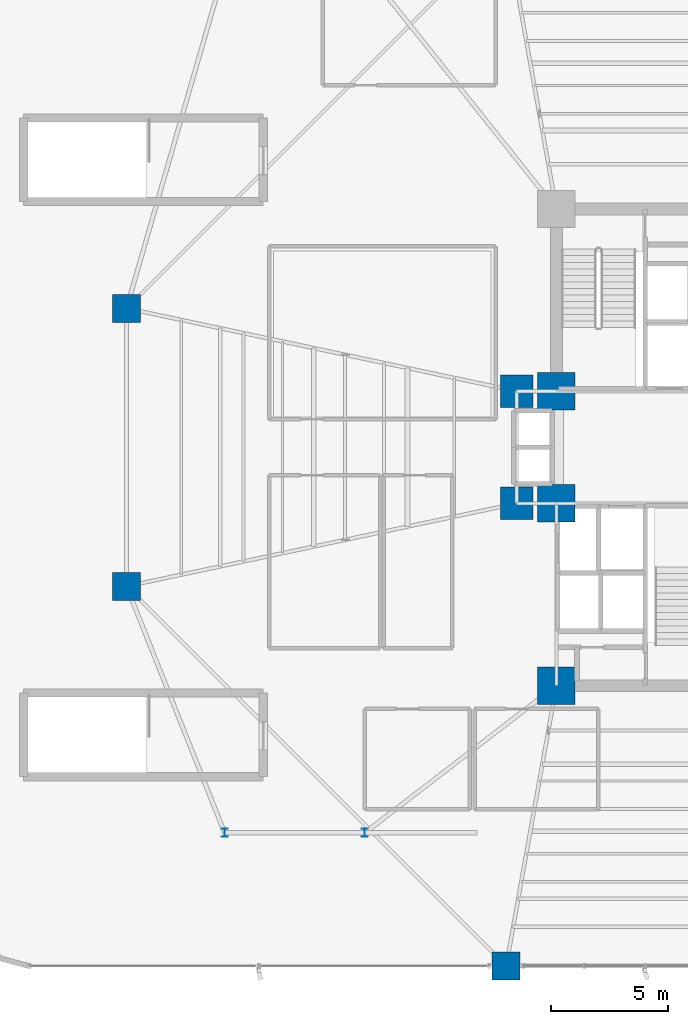
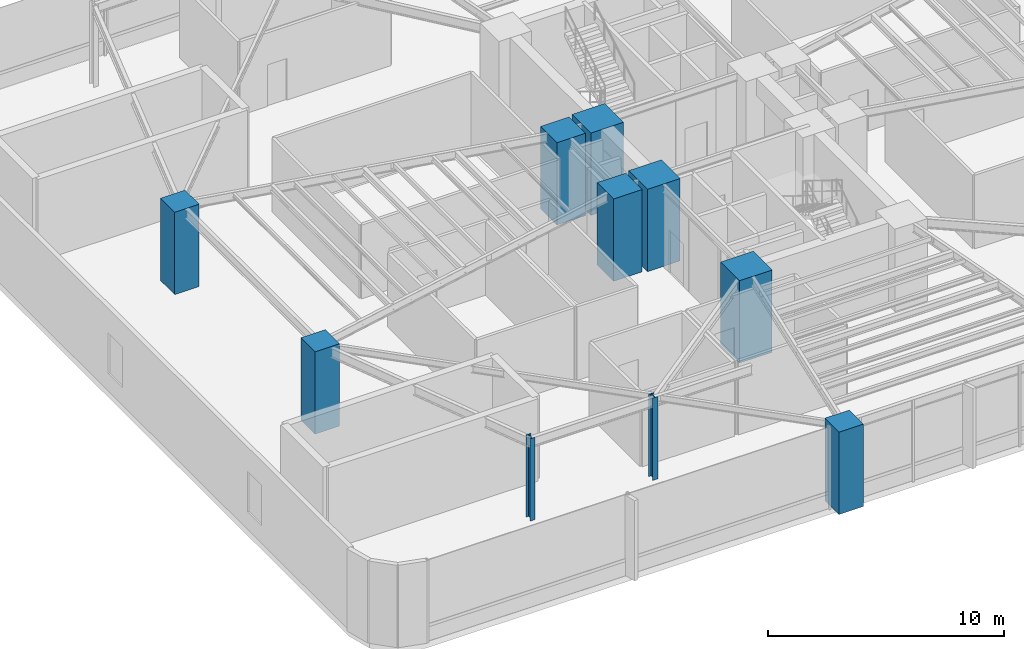
# One storey, part 1 of 26: 10 columns.
"""IFC4 building model written with IfcOpenShell, lengths in metres."""

from ifc_helpers import new_model, si_unit, direction, frame, origin, origin_2d, place, context, subcontext, project, spatial, rectangle, i_section, extrude, source, transform, mapped, material, material_profile, profile_set, type_object, element, save


model = new_model("IFC4")

# Units and contexts
model_context = context("Model", 3, precision=1e-05, world=origin(), true_north=direction((0.0, 1.0)))
body_context = subcontext(model_context, "Body", "Model", "MODEL_VIEW")
ifc_project = project(units=[si_unit("LENGTHUNIT", "METRE"), si_unit("AREAUNIT", "SQUARE_METRE"), si_unit("VOLUMEUNIT", "CUBIC_METRE"), si_unit("PLANEANGLEUNIT", "RADIAN"), si_unit("MASSUNIT", "GRAM", prefix="KILO")], contexts=[model_context])

# Site, building, storey
site_placement = place(None, origin())
site = spatial("IfcSite", under=ifc_project, at=site_placement, CompositionType="ELEMENT")
building_placement = place(site_placement, origin())
building = spatial("IfcBuilding", under=site, at=building_placement, Name="Sahyath Konkavel Grand Hotel", CompositionType="ELEMENT")
storey_placement = place(building_placement, frame((0.0, 0.0, 18.60009765625)))
storey = spatial("IfcBuildingStorey", under=building, at=storey_placement, Name="L04", CompositionType="ELEMENT", Elevation=18.60009765625)

# Columns
ifc_material_1 = material(Name="Concrete C70/85", Category="concrete")
ifc_material_profile_1 = material_profile(ifc_material_1, rectangle(XDim=1.60009765625, YDim=1.60009765625, at=origin_2d()), Name="RC 1600x1600")
ifc_profile_set_1 = profile_set([ifc_material_profile_1], Name="Concrete C70/85")
column_type_1 = type_object("IfcColumnType", Name="COL-RC1600", PredefinedType="COLUMN", material=ifc_profile_set_1)
shared_shape_1 = source(origin(), body_context, "Body", "SweptSolid", [
    extrude(rectangle(XDim=1.60009765625, YDim=1.60009765625, at=origin_2d()), origin(), (0.0, 0.0, 1.0), 4.260009765625),
])
for number, where, z_axis, x_axis, name in (
    (1, (-3.800048828125, 2.39990234375, 0.0), (0.0, 0.0, 1.0), (1.0, 0.0, 0.0), "L04 Core Boundary Column NC-SW"),
    (2, (-3.800048828125, -2.39990234375, 0.0), (0.0, 0.0, 1.0), (1.0, 0.0, 0.0), "L04 Core Boundary Column SC-NW"),
    (3, (-3.800048828125, -10.199951171875, 0.0), (0.0, 0.0, 1.0), (1.0, 0.0, 0.0), "L04 Core Boundary Column SC-SW"),
):
    element("IfcColumn", number, at=place(storey_placement, frame(where, z_axis=z_axis, x_axis=x_axis)), inside=storey, type_object=column_type_1, Name=name, PredefinedType="COLUMN", context=body_context, shape_type="MappedRepresentation", body=[
        mapped(shared_shape_1, transform((0.0, 0.0, 0.0), scale=1.0)),
    ])
ifc_material_profile_2 = material_profile(ifc_material_1, rectangle(XDim=1.39990234375, YDim=1.39990234375, at=origin_2d()), Name="RC 1400x1400")
ifc_profile_set_2 = profile_set([ifc_material_profile_2], Name="Concrete C70/85")
column_type_2 = type_object("IfcColumnType", Name="COL-RC1400", PredefinedType="COLUMN", material=ifc_profile_set_2)
shared_shape_2 = source(origin(), body_context, "Body", "SweptSolid", [
    extrude(rectangle(XDim=1.39990234375, YDim=1.39990234375, at=origin_2d()), origin(), (0.0, 0.0, 1.0), 4.260009765625),
])
for number, where, z_axis, x_axis, name in (
    (4, (-5.5, 2.39990234375, 0.0), (0.0, 0.0, 1.0), (1.0, 0.0, 0.0), "L04 Central Spine Column HB-NW"),
    (5, (-5.5, -2.39990234375, 0.0), (0.0, 0.0, 1.0), (1.0, 0.0, 0.0), "L04 Central Spine Column HB-SW"),
):
    element("IfcColumn", number, at=place(storey_placement, frame(where, z_axis=z_axis, x_axis=x_axis)), inside=storey, type_object=column_type_2, Name=name, PredefinedType="COLUMN", context=body_context, shape_type="MappedRepresentation", body=[
        mapped(shared_shape_2, transform((0.0, 0.0, 0.0), scale=1.0)),
    ])
ifc_material_2 = material(Name="Concrete C50/60", Category="concrete")
ifc_material_profile_3 = material_profile(ifc_material_2, rectangle(XDim=1.199951171875, YDim=1.199951171875, at=origin_2d()), Name="RC 1200x1200")
ifc_profile_set_3 = profile_set([ifc_material_profile_3], Name="Concrete C50/60")
column_type_3 = type_object("IfcColumnType", Name="COL-RC1200", PredefinedType="COLUMN", material=ifc_profile_set_3)
shared_shape_3 = source(origin(), body_context, "Body", "SweptSolid", [
    extrude(rectangle(XDim=1.199951171875, YDim=1.199951171875, at=origin_2d()), origin(), (0.0, 0.0, 1.0), 4.260009765625),
])
for number, where, z_axis, x_axis, name in (
    (6, (-22.199951171875, 5.949951171875, 0.0), (0.0, 0.0, 1.0), (1.0, 0.0, 0.0), "L04 Cruciform Wing Column WC-WA"),
    (7, (-22.199951171875, -5.949951171875, 0.0), (0.0, 0.0, 1.0), (1.0, 0.0, 0.0), "L04 Cruciform Wing Column WC-WB"),
    (8, (-5.949951171875, -22.199951171875, 0.0), (0.0, 0.0, 1.0), (1.0, 0.0, 0.0), "L04 Cruciform Wing Column WC-SA"),
):
    element("IfcColumn", number, at=place(storey_placement, frame(where, z_axis=z_axis, x_axis=x_axis)), inside=storey, type_object=column_type_3, Name=name, PredefinedType="COLUMN", context=body_context, shape_type="MappedRepresentation", body=[
        mapped(shared_shape_3, transform((0.0, 0.0, 0.0), scale=1.0)),
    ])
ifc_material_3 = material(Name="Steel E350", Category="steel")
ifc_material_profile_4 = material_profile(ifc_material_3, i_section(OverallWidth=0.25, OverallDepth=0.35009765625, WebThickness=0.01171875, FlangeThickness=0.01171875, FilletRadius=0.011962890625, at=origin_2d()), Name="ISHB 350")
ifc_profile_set_4 = profile_set([ifc_material_profile_4], Name="Steel E350")
column_type_4 = type_object("IfcColumnType", Name="COL-ISHB350", PredefinedType="COLUMN", material=ifc_profile_set_4)
shared_shape_4 = source(origin(), body_context, "Body", "SweptSolid", [
    extrude(i_section(OverallWidth=0.25, OverallDepth=0.35009765625, WebThickness=0.01171875, FlangeThickness=0.01171875, FilletRadius=0.011962890625, at=origin_2d()), origin(), (0.0, 0.0, 1.0), 4.260009765625),
])
for number, where, z_axis, x_axis, name in (
    (9, (-18.0, -16.5, 0.0), (0.0, 0.0, 1.0), (1.0, 0.0, 0.0), "L04 Sandstone Colonnade Pier CL-S1"),
    (10, (-12.0, -16.5, 0.0), (0.0, 0.0, 1.0), (1.0, 0.0, 0.0), "L04 Sandstone Colonnade Pier CL-S2"),
):
    element("IfcColumn", number, at=place(storey_placement, frame(where, z_axis=z_axis, x_axis=x_axis)), inside=storey, type_object=column_type_4, Name=name, PredefinedType="COLUMN", context=body_context, shape_type="MappedRepresentation", body=[
        mapped(shared_shape_4, transform((0.0, 0.0, 0.0), scale=1.0)),
    ])

save(model, "model.ifc")
